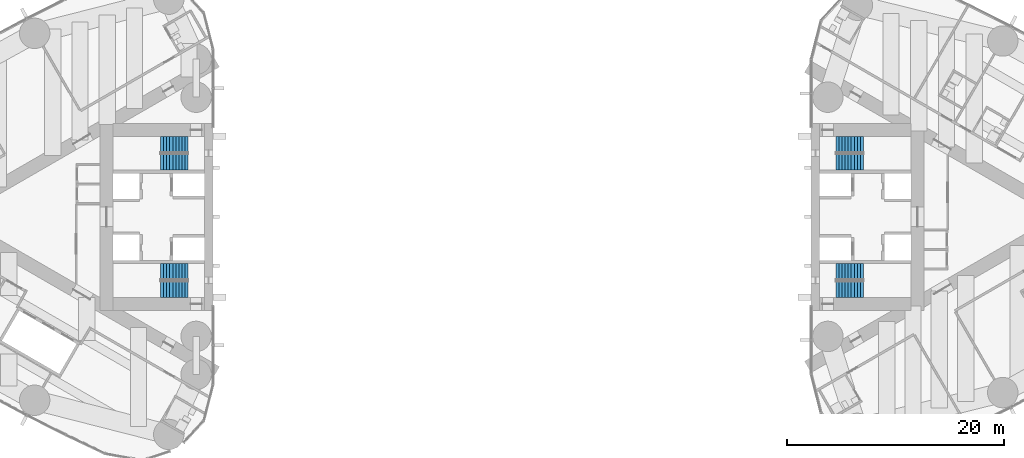
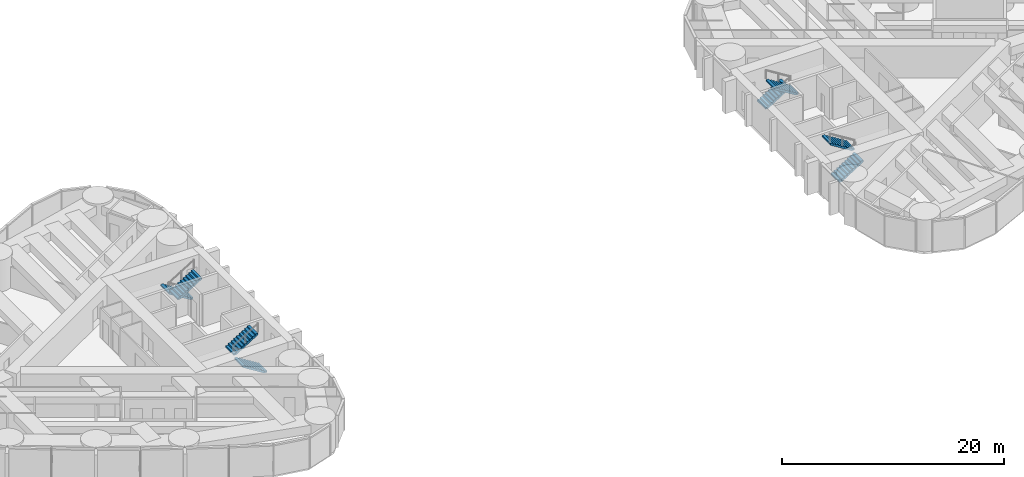
# One storey, part 17 of 19: 8 stair flights, 4 elements without a shape of their own.
"""IFC4 building model written with IfcOpenShell, lengths in metres."""

from ifc_helpers import new_model, si_unit, direction, frame, origin, place, context, subcontext, project, spatial, polyline, outline, extrude, material, type_object, element, aggregate, save


model = new_model("IFC4")

# Units and contexts
model_context = context("Model", 3, precision=1e-05, world=origin(), true_north=direction((0.0, 1.0)))
body_context = subcontext(model_context, "Body", "Model", "MODEL_VIEW")
ifc_project = project(units=[si_unit("LENGTHUNIT", "METRE"), si_unit("AREAUNIT", "SQUARE_METRE"), si_unit("VOLUMEUNIT", "CUBIC_METRE"), si_unit("PLANEANGLEUNIT", "RADIAN"), si_unit("MASSUNIT", "GRAM", prefix="KILO")], contexts=[model_context])

# Site, building, storey
site_placement = place(None, origin())
site = spatial("IfcSite", under=ifc_project, at=site_placement, CompositionType="ELEMENT")
building_placement = place(site_placement, origin())
building = spatial("IfcBuilding", under=site, at=building_placement, Name="Lancet Gate Hotel", CompositionType="ELEMENT")
storey_placement = place(building_placement, frame((0.0, 0.0, 163.300048828125)))
storey = spatial("IfcBuildingStorey", under=building, at=storey_placement, Name="L43", CompositionType="ELEMENT", Elevation=163.300048828125)

# Stair, stair flights
ifc_material_1 = material(Name="Exit stair 20 risers 1500")
stair_type = type_object("IfcStairType", Name="Exit stair 20 risers 1500", PredefinedType="HALF_TURN_STAIR", material=ifc_material_1)
stair_1_placement = place(storey_placement, origin())
stair_1 = element("IfcStair", 1, at=stair_1_placement, inside=storey, type_object=stair_type, Name="T1 stair 1 L43", PredefinedType="HALF_TURN_STAIR")
ifc_material_2 = material(Name="Stair flight 10 risers 175 rise 1500")
stair_flight_type = type_object("IfcStairFlightType", Name="Stair flight 10 risers 175 rise 1500", PredefinedType="STRAIGHT", material=ifc_material_2)
stair_flight_1_placement = place(storey_placement, frame((-29.800048828125, 6.64990234375, 0.0), z_axis=(0.0, 0.0, 1.0), x_axis=(-1.0, 0.0, 0.0)))
stair_flight_1 = element("IfcStairFlight", 2, at=stair_flight_1_placement, type_object=stair_flight_type, Name="ST1 flight 1", NumberOfRisers=10, NumberOfTreads=9, PredefinedType="STRAIGHT", RiserHeight=0.175, TreadLength=0.28, context=body_context, shape_type="SweptSolid", body=[
    extrude(outline(polyline([(0.0, 0.0), (0.0, 0.175048828125), (0.280029296875, 0.175048828125), (0.280029296875, 0.35009765625), (0.56005859375, 0.35009765625), (0.56005859375, 0.52490234375), (0.840087890625, 0.52490234375), (0.840087890625, 0.699951171875), (1.1201171875, 0.699951171875), (1.1201171875, 0.875), (1.39990234375, 0.875), (1.39990234375, 1.050048828125), (1.679931640625, 1.050048828125), (1.679931640625, 1.22509765625), (1.9599609375, 1.22509765625), (1.9599609375, 1.39990234375), (2.239990234375, 1.39990234375), (2.239990234375, 1.574951171875), (2.52001953125, 1.574951171875), (2.52001953125, 1.75), (2.52001953125, 1.398193359375), (0.28271484375, 0.0), (0.0, 0.0)])), frame((0.0, 0.75, 0.0), z_axis=(0.0, -1.0, 0.0), x_axis=(1.0, 0.0, 0.0)), (0.0, 0.0, 1.0), 1.5),
])
stair_flight_2_placement = place(storey_placement, frame((-32.320068359375, 5.050048828125, 1.75), z_axis=(0.0, 0.0, 1.0), x_axis=(1.0, 0.0, 0.0)))
stair_flight_2 = element("IfcStairFlight", 3, at=stair_flight_2_placement, type_object=stair_flight_type, Name="ST1 flight 2", NumberOfRisers=10, NumberOfTreads=9, PredefinedType="STRAIGHT", RiserHeight=0.175, TreadLength=0.28, context=body_context, shape_type="SweptSolid", body=[
    extrude(outline(polyline([(0.0, 0.0), (0.0, 0.175048828125), (0.280029296875, 0.175048828125), (0.280029296875, 0.35009765625), (0.56005859375, 0.35009765625), (0.56005859375, 0.52490234375), (0.840087890625, 0.52490234375), (0.840087890625, 0.699951171875), (1.1201171875, 0.699951171875), (1.1201171875, 0.875), (1.39990234375, 0.875), (1.39990234375, 1.050048828125), (1.679931640625, 1.050048828125), (1.679931640625, 1.22509765625), (1.9599609375, 1.22509765625), (1.9599609375, 1.39990234375), (2.239990234375, 1.39990234375), (2.239990234375, 1.574951171875), (2.52001953125, 1.574951171875), (2.52001953125, 1.75), (2.52001953125, 1.398193359375), (0.28271484375, 0.0), (0.0, 0.0)])), frame((0.0, 0.75, 0.0), z_axis=(0.0, -1.0, 0.0), x_axis=(1.0, 0.0, 0.0)), (0.0, 0.0, 1.0), 1.5),
])
aggregate(stair_1, [stair_flight_1, stair_flight_2])

stair_2_placement = place(storey_placement, origin())
stair_2 = element("IfcStair", 4, at=stair_2_placement, inside=storey, type_object=stair_type, Name="T1 stair 2 L43", PredefinedType="HALF_TURN_STAIR")
stair_flight_3_placement = place(storey_placement, frame((-29.800048828125, -6.64990234375, 0.0), z_axis=(0.0, 0.0, 1.0), x_axis=(-1.0, 0.0, 0.0)))
stair_flight_3 = element("IfcStairFlight", 5, at=stair_flight_3_placement, type_object=stair_flight_type, Name="ST2 flight 1", NumberOfRisers=10, NumberOfTreads=9, PredefinedType="STRAIGHT", RiserHeight=0.175, TreadLength=0.28, context=body_context, shape_type="SweptSolid", body=[
    extrude(outline(polyline([(0.0, 0.0), (0.0, 0.175048828125), (0.280029296875, 0.175048828125), (0.280029296875, 0.35009765625), (0.56005859375, 0.35009765625), (0.56005859375, 0.52490234375), (0.840087890625, 0.52490234375), (0.840087890625, 0.699951171875), (1.1201171875, 0.699951171875), (1.1201171875, 0.875), (1.39990234375, 0.875), (1.39990234375, 1.050048828125), (1.679931640625, 1.050048828125), (1.679931640625, 1.22509765625), (1.9599609375, 1.22509765625), (1.9599609375, 1.39990234375), (2.239990234375, 1.39990234375), (2.239990234375, 1.574951171875), (2.52001953125, 1.574951171875), (2.52001953125, 1.75), (2.52001953125, 1.398193359375), (0.28271484375, 0.0), (0.0, 0.0)])), frame((0.0, 0.75, 0.0), z_axis=(0.0, -1.0, 0.0), x_axis=(1.0, 0.0, 0.0)), (0.0, 0.0, 1.0), 1.5),
])
stair_flight_4_placement = place(storey_placement, frame((-32.320068359375, -5.050048828125, 1.75), z_axis=(0.0, 0.0, 1.0), x_axis=(1.0, 0.0, 0.0)))
stair_flight_4 = element("IfcStairFlight", 6, at=stair_flight_4_placement, type_object=stair_flight_type, Name="ST2 flight 2", NumberOfRisers=10, NumberOfTreads=9, PredefinedType="STRAIGHT", RiserHeight=0.175, TreadLength=0.28, context=body_context, shape_type="SweptSolid", body=[
    extrude(outline(polyline([(0.0, 0.0), (0.0, 0.175048828125), (0.280029296875, 0.175048828125), (0.280029296875, 0.35009765625), (0.56005859375, 0.35009765625), (0.56005859375, 0.52490234375), (0.840087890625, 0.52490234375), (0.840087890625, 0.699951171875), (1.1201171875, 0.699951171875), (1.1201171875, 0.875), (1.39990234375, 0.875), (1.39990234375, 1.050048828125), (1.679931640625, 1.050048828125), (1.679931640625, 1.22509765625), (1.9599609375, 1.22509765625), (1.9599609375, 1.39990234375), (2.239990234375, 1.39990234375), (2.239990234375, 1.574951171875), (2.52001953125, 1.574951171875), (2.52001953125, 1.75), (2.52001953125, 1.398193359375), (0.28271484375, 0.0), (0.0, 0.0)])), frame((0.0, 0.75, 0.0), z_axis=(0.0, -1.0, 0.0), x_axis=(1.0, 0.0, 0.0)), (0.0, 0.0, 1.0), 1.5),
])
aggregate(stair_2, [stair_flight_3, stair_flight_4])

stair_3_placement = place(storey_placement, origin())
stair_3 = element("IfcStair", 7, at=stair_3_placement, inside=storey, type_object=stair_type, Name="T2 stair 1 L43", PredefinedType="HALF_TURN_STAIR")
stair_flight_5_placement = place(storey_placement, frame((29.800048828125, -6.64990234375, 0.0), z_axis=(0.0, 0.0, 1.0), x_axis=(1.0, 0.0, 0.0)))
stair_flight_5 = element("IfcStairFlight", 8, at=stair_flight_5_placement, type_object=stair_flight_type, Name="ST3 flight 1", NumberOfRisers=10, NumberOfTreads=9, PredefinedType="STRAIGHT", RiserHeight=0.175, TreadLength=0.28, context=body_context, shape_type="SweptSolid", body=[
    extrude(outline(polyline([(0.0, 0.0), (0.0, 0.175048828125), (0.280029296875, 0.175048828125), (0.280029296875, 0.35009765625), (0.56005859375, 0.35009765625), (0.56005859375, 0.52490234375), (0.840087890625, 0.52490234375), (0.840087890625, 0.699951171875), (1.1201171875, 0.699951171875), (1.1201171875, 0.875), (1.39990234375, 0.875), (1.39990234375, 1.050048828125), (1.679931640625, 1.050048828125), (1.679931640625, 1.22509765625), (1.9599609375, 1.22509765625), (1.9599609375, 1.39990234375), (2.239990234375, 1.39990234375), (2.239990234375, 1.574951171875), (2.52001953125, 1.574951171875), (2.52001953125, 1.75), (2.52001953125, 1.398193359375), (0.28271484375, 0.0), (0.0, 0.0)])), frame((0.0, 0.75, 0.0), z_axis=(0.0, -1.0, 0.0), x_axis=(1.0, 0.0, 0.0)), (0.0, 0.0, 1.0), 1.5),
])
stair_flight_6_placement = place(storey_placement, frame((32.320068359375, -5.050048828125, 1.75), z_axis=(0.0, 0.0, 1.0), x_axis=(-1.0, 0.0, 0.0)))
stair_flight_6 = element("IfcStairFlight", 9, at=stair_flight_6_placement, type_object=stair_flight_type, Name="ST3 flight 2", NumberOfRisers=10, NumberOfTreads=9, PredefinedType="STRAIGHT", RiserHeight=0.175, TreadLength=0.28, context=body_context, shape_type="SweptSolid", body=[
    extrude(outline(polyline([(0.0, 0.0), (0.0, 0.175048828125), (0.280029296875, 0.175048828125), (0.280029296875, 0.35009765625), (0.56005859375, 0.35009765625), (0.56005859375, 0.52490234375), (0.840087890625, 0.52490234375), (0.840087890625, 0.699951171875), (1.1201171875, 0.699951171875), (1.1201171875, 0.875), (1.39990234375, 0.875), (1.39990234375, 1.050048828125), (1.679931640625, 1.050048828125), (1.679931640625, 1.22509765625), (1.9599609375, 1.22509765625), (1.9599609375, 1.39990234375), (2.239990234375, 1.39990234375), (2.239990234375, 1.574951171875), (2.52001953125, 1.574951171875), (2.52001953125, 1.75), (2.52001953125, 1.398193359375), (0.28271484375, 0.0), (0.0, 0.0)])), frame((0.0, 0.75, 0.0), z_axis=(0.0, -1.0, 0.0), x_axis=(1.0, 0.0, 0.0)), (0.0, 0.0, 1.0), 1.5),
])
aggregate(stair_3, [stair_flight_5, stair_flight_6])

stair_4_placement = place(storey_placement, origin())
stair_4 = element("IfcStair", 10, at=stair_4_placement, inside=storey, type_object=stair_type, Name="T2 stair 2 L43", PredefinedType="HALF_TURN_STAIR")
stair_flight_7_placement = place(storey_placement, frame((29.800048828125, 6.64990234375, 0.0), z_axis=(0.0, 0.0, 1.0), x_axis=(1.0, 0.0, 0.0)))
stair_flight_7 = element("IfcStairFlight", 11, at=stair_flight_7_placement, type_object=stair_flight_type, Name="ST4 flight 1", NumberOfRisers=10, NumberOfTreads=9, PredefinedType="STRAIGHT", RiserHeight=0.175, TreadLength=0.28, context=body_context, shape_type="SweptSolid", body=[
    extrude(outline(polyline([(0.0, 0.0), (0.0, 0.175048828125), (0.280029296875, 0.175048828125), (0.280029296875, 0.35009765625), (0.56005859375, 0.35009765625), (0.56005859375, 0.52490234375), (0.840087890625, 0.52490234375), (0.840087890625, 0.699951171875), (1.1201171875, 0.699951171875), (1.1201171875, 0.875), (1.39990234375, 0.875), (1.39990234375, 1.050048828125), (1.679931640625, 1.050048828125), (1.679931640625, 1.22509765625), (1.9599609375, 1.22509765625), (1.9599609375, 1.39990234375), (2.239990234375, 1.39990234375), (2.239990234375, 1.574951171875), (2.52001953125, 1.574951171875), (2.52001953125, 1.75), (2.52001953125, 1.398193359375), (0.28271484375, 0.0), (0.0, 0.0)])), frame((0.0, 0.75, 0.0), z_axis=(0.0, -1.0, 0.0), x_axis=(1.0, 0.0, 0.0)), (0.0, 0.0, 1.0), 1.5),
])
stair_flight_8_placement = place(storey_placement, frame((32.320068359375, 5.050048828125, 1.75), z_axis=(0.0, 0.0, 1.0), x_axis=(-1.0, 0.0, 0.0)))
stair_flight_8 = element("IfcStairFlight", 12, at=stair_flight_8_placement, type_object=stair_flight_type, Name="ST4 flight 2", NumberOfRisers=10, NumberOfTreads=9, PredefinedType="STRAIGHT", RiserHeight=0.175, TreadLength=0.28, context=body_context, shape_type="SweptSolid", body=[
    extrude(outline(polyline([(0.0, 0.0), (0.0, 0.175048828125), (0.280029296875, 0.175048828125), (0.280029296875, 0.35009765625), (0.56005859375, 0.35009765625), (0.56005859375, 0.52490234375), (0.840087890625, 0.52490234375), (0.840087890625, 0.699951171875), (1.1201171875, 0.699951171875), (1.1201171875, 0.875), (1.39990234375, 0.875), (1.39990234375, 1.050048828125), (1.679931640625, 1.050048828125), (1.679931640625, 1.22509765625), (1.9599609375, 1.22509765625), (1.9599609375, 1.39990234375), (2.239990234375, 1.39990234375), (2.239990234375, 1.574951171875), (2.52001953125, 1.574951171875), (2.52001953125, 1.75), (2.52001953125, 1.398193359375), (0.28271484375, 0.0), (0.0, 0.0)])), frame((0.0, 0.75, 0.0), z_axis=(0.0, -1.0, 0.0), x_axis=(1.0, 0.0, 0.0)), (0.0, 0.0, 1.0), 1.5),
])
aggregate(stair_4, [stair_flight_7, stair_flight_8])

save(model, "model.ifc")
